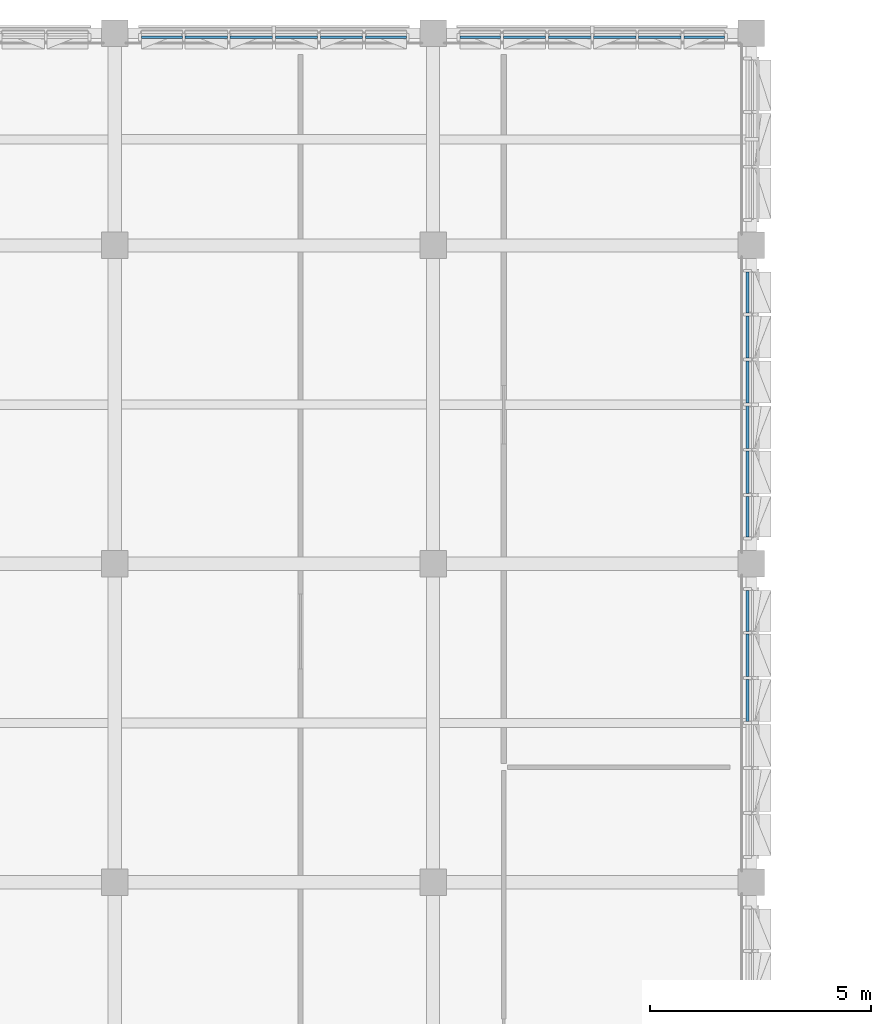
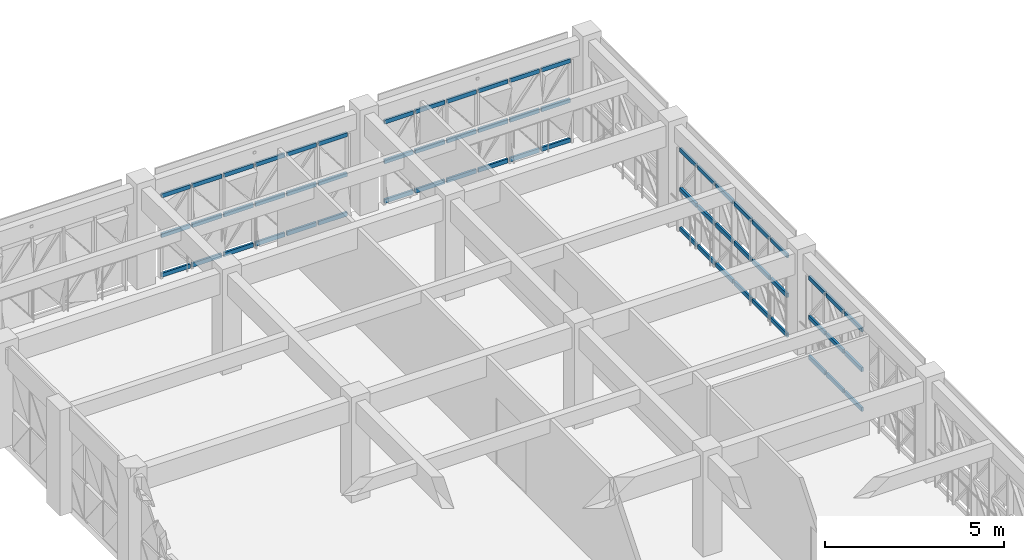
# One storey, part 24 of 74: 63 members, 4 elements without a shape of their own.
"""IFC4 building model written with IfcOpenShell, lengths in metres."""

from ifc_helpers import new_model, si_unit, direction, frame, origin, origin_2d, place, context, subcontext, project, spatial, rectangle, extrude, material, material_profile, profile_set, type_object, element, aggregate, save


model = new_model("IFC4")

# Units and contexts
model_context = context("Model", 3, precision=1e-05, world=origin(), true_north=direction((0.0, 1.0)))
body_context = subcontext(model_context, "Body", "Model", "MODEL_VIEW")
ifc_project = project(units=[si_unit("LENGTHUNIT", "METRE"), si_unit("AREAUNIT", "SQUARE_METRE"), si_unit("VOLUMEUNIT", "CUBIC_METRE"), si_unit("PLANEANGLEUNIT", "RADIAN"), si_unit("MASSUNIT", "GRAM", prefix="KILO")], contexts=[model_context])

# Site, building, storey
site_placement = place(None, origin())
site = spatial("IfcSite", under=ifc_project, at=site_placement, CompositionType="ELEMENT")
building_placement = place(site_placement, origin())
building = spatial("IfcBuilding", under=site, at=building_placement, Name="Alvorim Cloister Faculty of Sciences", CompositionType="ELEMENT")
storey_placement = place(building_placement, frame((0.0, 0.0, 15.75)))
storey = spatial("IfcBuildingStorey", under=building, at=storey_placement, Name="L04", CompositionType="ELEMENT", Elevation=15.75)

# Curtain wall, members
ifc_material_1 = material(Name="Aluminium and Low-E Glass Curtain Wall", Category="aluminium")
curtain_wall_type = type_object("IfcCurtainWallType", Name="CW-TRI-6120x2850", PredefinedType="USERDEFINED", material=ifc_material_1)
curtain_wall_1_placement = place(storey_placement, origin())
curtain_wall_1 = element("IfcCurtainWall", 1, at=curtain_wall_1_placement, inside=storey, type_object=curtain_wall_type, Name="L04 Diagonal Cassette Curtain Wall CW-0179", ObjectType="UNITISED CURTAIN WALL", PredefinedType="USERDEFINED")
ifc_material_2 = material(Name="Aluminium Alloy 6063-T6", Category="aluminium")
ifc_material_profile = material_profile(ifc_material_2, rectangle(XDim=0.06494140625, YDim=0.139892578125, at=origin_2d()), Name="ALU-TRN-65x140")
ifc_profile_set = profile_set([ifc_material_profile], Name="Aluminium Alloy 6063-T6")
member_type = type_object("IfcMemberType", Name="CW-TRN-65x140", PredefinedType="USERDEFINED", material=ifc_profile_set)
member_1_placement = place(storey_placement, frame((7.804931640625, 111.510009765625, 0.070068359375), z_axis=(1.0, 0.0, 0.0), x_axis=(0.0, 1.0, 0.0)))
member_1 = element("IfcMember", 2, at=member_1_placement, type_object=member_type, Name="CW-0179 Transom 1.1", ObjectType="TRANSOM", PredefinedType="USERDEFINED", context=body_context, shape_type="SweptSolid", body=[
    extrude(rectangle(XDim=0.06494140625, YDim=0.139892578125, at=origin_2d()), origin(), (0.0, 0.0, 1.0), 0.922607421875),
])
member_2_placement = place(storey_placement, frame((7.804931640625, 111.510009765625, 1.425048828125), z_axis=(1.0, 0.0, 0.0), x_axis=(0.0, 1.0, 0.0)))
member_2 = element("IfcMember", 3, at=member_2_placement, type_object=member_type, Name="CW-0179 Transom 1.2", ObjectType="TRANSOM", PredefinedType="USERDEFINED", context=body_context, shape_type="SweptSolid", body=[
    extrude(rectangle(XDim=0.06494140625, YDim=0.139892578125, at=origin_2d()), origin(), (0.0, 0.0, 1.0), 0.922607421875),
])
member_3_placement = place(storey_placement, frame((7.804931640625, 111.510009765625, 2.780029296875), z_axis=(1.0, 0.0, 0.0), x_axis=(0.0, 1.0, 0.0)))
member_3 = element("IfcMember", 4, at=member_3_placement, type_object=member_type, Name="CW-0179 Transom 1.3", ObjectType="TRANSOM", PredefinedType="USERDEFINED", context=body_context, shape_type="SweptSolid", body=[
    extrude(rectangle(XDim=0.06494140625, YDim=0.139892578125, at=origin_2d()), origin(), (0.0, 0.0, 1.0), 0.922607421875),
])
member_4_placement = place(storey_placement, frame((8.79248046875, 111.510009765625, 0.070068359375), z_axis=(1.0, 0.0, 0.0), x_axis=(0.0, 1.0, 0.0)))
member_4 = element("IfcMember", 5, at=member_4_placement, type_object=member_type, Name="CW-0179 Transom 2.1", ObjectType="TRANSOM", PredefinedType="USERDEFINED", context=body_context, shape_type="SweptSolid", body=[
    extrude(rectangle(XDim=0.06494140625, YDim=0.139892578125, at=origin_2d()), origin(), (0.0, 0.0, 1.0), 0.955078125),
])
member_5_placement = place(storey_placement, frame((8.79248046875, 111.510009765625, 1.425048828125), z_axis=(1.0, 0.0, 0.0), x_axis=(0.0, 1.0, 0.0)))
member_5 = element("IfcMember", 6, at=member_5_placement, type_object=member_type, Name="CW-0179 Transom 2.2", ObjectType="TRANSOM", PredefinedType="USERDEFINED", context=body_context, shape_type="SweptSolid", body=[
    extrude(rectangle(XDim=0.06494140625, YDim=0.139892578125, at=origin_2d()), origin(), (0.0, 0.0, 1.0), 0.955078125),
])
member_6_placement = place(storey_placement, frame((8.79248046875, 111.510009765625, 2.780029296875), z_axis=(1.0, 0.0, 0.0), x_axis=(0.0, 1.0, 0.0)))
member_6 = element("IfcMember", 7, at=member_6_placement, type_object=member_type, Name="CW-0179 Transom 2.3", ObjectType="TRANSOM", PredefinedType="USERDEFINED", context=body_context, shape_type="SweptSolid", body=[
    extrude(rectangle(XDim=0.06494140625, YDim=0.139892578125, at=origin_2d()), origin(), (0.0, 0.0, 1.0), 0.955078125),
])
member_7_placement = place(storey_placement, frame((9.8125, 111.510009765625, 0.070068359375), z_axis=(1.0, 0.0, 0.0), x_axis=(0.0, 1.0, 0.0)))
member_7 = element("IfcMember", 8, at=member_7_placement, type_object=member_type, Name="CW-0179 Transom 3.1", ObjectType="TRANSOM", PredefinedType="USERDEFINED", context=body_context, shape_type="SweptSolid", body=[
    extrude(rectangle(XDim=0.06494140625, YDim=0.139892578125, at=origin_2d()), origin(), (0.0, 0.0, 1.0), 0.955078125),
])
member_8_placement = place(storey_placement, frame((9.8125, 111.510009765625, 1.425048828125), z_axis=(1.0, 0.0, 0.0), x_axis=(0.0, 1.0, 0.0)))
member_8 = element("IfcMember", 9, at=member_8_placement, type_object=member_type, Name="CW-0179 Transom 3.2", ObjectType="TRANSOM", PredefinedType="USERDEFINED", context=body_context, shape_type="SweptSolid", body=[
    extrude(rectangle(XDim=0.06494140625, YDim=0.139892578125, at=origin_2d()), origin(), (0.0, 0.0, 1.0), 0.955078125),
])
member_9_placement = place(storey_placement, frame((9.8125, 111.510009765625, 2.780029296875), z_axis=(1.0, 0.0, 0.0), x_axis=(0.0, 1.0, 0.0)))
member_9 = element("IfcMember", 10, at=member_9_placement, type_object=member_type, Name="CW-0179 Transom 3.3", ObjectType="TRANSOM", PredefinedType="USERDEFINED", context=body_context, shape_type="SweptSolid", body=[
    extrude(rectangle(XDim=0.06494140625, YDim=0.139892578125, at=origin_2d()), origin(), (0.0, 0.0, 1.0), 0.955078125),
])
member_10_placement = place(storey_placement, frame((10.83251953125, 111.510009765625, 0.070068359375), z_axis=(1.0, 0.0, 0.0), x_axis=(0.0, 1.0, 0.0)))
member_10 = element("IfcMember", 11, at=member_10_placement, type_object=member_type, Name="CW-0179 Transom 4.1", ObjectType="TRANSOM", PredefinedType="USERDEFINED", context=body_context, shape_type="SweptSolid", body=[
    extrude(rectangle(XDim=0.06494140625, YDim=0.139892578125, at=origin_2d()), origin(), (0.0, 0.0, 1.0), 0.955078125),
])
member_11_placement = place(storey_placement, frame((10.83251953125, 111.510009765625, 1.425048828125), z_axis=(1.0, 0.0, 0.0), x_axis=(0.0, 1.0, 0.0)))
member_11 = element("IfcMember", 12, at=member_11_placement, type_object=member_type, Name="CW-0179 Transom 4.2", ObjectType="TRANSOM", PredefinedType="USERDEFINED", context=body_context, shape_type="SweptSolid", body=[
    extrude(rectangle(XDim=0.06494140625, YDim=0.139892578125, at=origin_2d()), origin(), (0.0, 0.0, 1.0), 0.955078125),
])
member_12_placement = place(storey_placement, frame((10.83251953125, 111.510009765625, 2.780029296875), z_axis=(1.0, 0.0, 0.0), x_axis=(0.0, 1.0, 0.0)))
member_12 = element("IfcMember", 13, at=member_12_placement, type_object=member_type, Name="CW-0179 Transom 4.3", ObjectType="TRANSOM", PredefinedType="USERDEFINED", context=body_context, shape_type="SweptSolid", body=[
    extrude(rectangle(XDim=0.06494140625, YDim=0.139892578125, at=origin_2d()), origin(), (0.0, 0.0, 1.0), 0.955078125),
])
member_13_placement = place(storey_placement, frame((11.8525390625, 111.510009765625, 0.070068359375), z_axis=(1.0, 0.0, 0.0), x_axis=(0.0, 1.0, 0.0)))
member_13 = element("IfcMember", 14, at=member_13_placement, type_object=member_type, Name="CW-0179 Transom 5.1", ObjectType="TRANSOM", PredefinedType="USERDEFINED", context=body_context, shape_type="SweptSolid", body=[
    extrude(rectangle(XDim=0.06494140625, YDim=0.139892578125, at=origin_2d()), origin(), (0.0, 0.0, 1.0), 0.955078125),
])
member_14_placement = place(storey_placement, frame((11.8525390625, 111.510009765625, 1.425048828125), z_axis=(1.0, 0.0, 0.0), x_axis=(0.0, 1.0, 0.0)))
member_14 = element("IfcMember", 15, at=member_14_placement, type_object=member_type, Name="CW-0179 Transom 5.2", ObjectType="TRANSOM", PredefinedType="USERDEFINED", context=body_context, shape_type="SweptSolid", body=[
    extrude(rectangle(XDim=0.06494140625, YDim=0.139892578125, at=origin_2d()), origin(), (0.0, 0.0, 1.0), 0.955078125),
])
member_15_placement = place(storey_placement, frame((11.8525390625, 111.510009765625, 2.780029296875), z_axis=(1.0, 0.0, 0.0), x_axis=(0.0, 1.0, 0.0)))
member_15 = element("IfcMember", 16, at=member_15_placement, type_object=member_type, Name="CW-0179 Transom 5.3", ObjectType="TRANSOM", PredefinedType="USERDEFINED", context=body_context, shape_type="SweptSolid", body=[
    extrude(rectangle(XDim=0.06494140625, YDim=0.139892578125, at=origin_2d()), origin(), (0.0, 0.0, 1.0), 0.955078125),
])
member_16_placement = place(storey_placement, frame((12.87255859375, 111.510009765625, 0.070068359375), z_axis=(1.0, 0.0, 0.0), x_axis=(0.0, 1.0, 0.0)))
member_16 = element("IfcMember", 17, at=member_16_placement, type_object=member_type, Name="CW-0179 Transom 6.1", ObjectType="TRANSOM", PredefinedType="USERDEFINED", context=body_context, shape_type="SweptSolid", body=[
    extrude(rectangle(XDim=0.06494140625, YDim=0.139892578125, at=origin_2d()), origin(), (0.0, 0.0, 1.0), 0.92236328125),
])
member_17_placement = place(storey_placement, frame((12.87255859375, 111.510009765625, 1.425048828125), z_axis=(1.0, 0.0, 0.0), x_axis=(0.0, 1.0, 0.0)))
member_17 = element("IfcMember", 18, at=member_17_placement, type_object=member_type, Name="CW-0179 Transom 6.2", ObjectType="TRANSOM", PredefinedType="USERDEFINED", context=body_context, shape_type="SweptSolid", body=[
    extrude(rectangle(XDim=0.06494140625, YDim=0.139892578125, at=origin_2d()), origin(), (0.0, 0.0, 1.0), 0.92236328125),
])
member_18_placement = place(storey_placement, frame((12.87255859375, 111.510009765625, 2.780029296875), z_axis=(1.0, 0.0, 0.0), x_axis=(0.0, 1.0, 0.0)))
member_18 = element("IfcMember", 19, at=member_18_placement, type_object=member_type, Name="CW-0179 Transom 6.3", ObjectType="TRANSOM", PredefinedType="USERDEFINED", context=body_context, shape_type="SweptSolid", body=[
    extrude(rectangle(XDim=0.06494140625, YDim=0.139892578125, at=origin_2d()), origin(), (0.0, 0.0, 1.0), 0.92236328125),
])
aggregate(curtain_wall_1, [member_1, member_2, member_3, member_4, member_5, member_6, member_7, member_8, member_9, member_10, member_11, member_12, member_13, member_14, member_15, member_16, member_17, member_18])

curtain_wall_2_placement = place(storey_placement, origin())
curtain_wall_2 = element("IfcCurtainWall", 20, at=curtain_wall_2_placement, inside=storey, type_object=curtain_wall_type, Name="L04 Diagonal Cassette Curtain Wall CW-0180", ObjectType="UNITISED CURTAIN WALL", PredefinedType="USERDEFINED")
member_19_placement = place(storey_placement, frame((15.0048828125, 111.510009765625, 0.070068359375), z_axis=(1.0, 0.0, 0.0), x_axis=(0.0, 1.0, 0.0)))
member_19 = element("IfcMember", 21, at=member_19_placement, type_object=member_type, Name="CW-0180 Transom 1.1", ObjectType="TRANSOM", PredefinedType="USERDEFINED", context=body_context, shape_type="SweptSolid", body=[
    extrude(rectangle(XDim=0.06494140625, YDim=0.139892578125, at=origin_2d()), origin(), (0.0, 0.0, 1.0), 0.922607421875),
])
member_20_placement = place(storey_placement, frame((15.0048828125, 111.510009765625, 1.425048828125), z_axis=(1.0, 0.0, 0.0), x_axis=(0.0, 1.0, 0.0)))
member_20 = element("IfcMember", 22, at=member_20_placement, type_object=member_type, Name="CW-0180 Transom 1.2", ObjectType="TRANSOM", PredefinedType="USERDEFINED", context=body_context, shape_type="SweptSolid", body=[
    extrude(rectangle(XDim=0.06494140625, YDim=0.139892578125, at=origin_2d()), origin(), (0.0, 0.0, 1.0), 0.922607421875),
])
member_21_placement = place(storey_placement, frame((15.0048828125, 111.510009765625, 2.780029296875), z_axis=(1.0, 0.0, 0.0), x_axis=(0.0, 1.0, 0.0)))
member_21 = element("IfcMember", 23, at=member_21_placement, type_object=member_type, Name="CW-0180 Transom 1.3", ObjectType="TRANSOM", PredefinedType="USERDEFINED", context=body_context, shape_type="SweptSolid", body=[
    extrude(rectangle(XDim=0.06494140625, YDim=0.139892578125, at=origin_2d()), origin(), (0.0, 0.0, 1.0), 0.922607421875),
])
member_22_placement = place(storey_placement, frame((15.992431640625, 111.510009765625, 0.070068359375), z_axis=(1.0, 0.0, 0.0), x_axis=(0.0, 1.0, 0.0)))
member_22 = element("IfcMember", 24, at=member_22_placement, type_object=member_type, Name="CW-0180 Transom 2.1", ObjectType="TRANSOM", PredefinedType="USERDEFINED", context=body_context, shape_type="SweptSolid", body=[
    extrude(rectangle(XDim=0.06494140625, YDim=0.139892578125, at=origin_2d()), origin(), (0.0, 0.0, 1.0), 0.955078125),
])
member_23_placement = place(storey_placement, frame((15.992431640625, 111.510009765625, 1.425048828125), z_axis=(1.0, 0.0, 0.0), x_axis=(0.0, 1.0, 0.0)))
member_23 = element("IfcMember", 25, at=member_23_placement, type_object=member_type, Name="CW-0180 Transom 2.2", ObjectType="TRANSOM", PredefinedType="USERDEFINED", context=body_context, shape_type="SweptSolid", body=[
    extrude(rectangle(XDim=0.06494140625, YDim=0.139892578125, at=origin_2d()), origin(), (0.0, 0.0, 1.0), 0.955078125),
])
member_24_placement = place(storey_placement, frame((15.992431640625, 111.510009765625, 2.780029296875), z_axis=(1.0, 0.0, 0.0), x_axis=(0.0, 1.0, 0.0)))
member_24 = element("IfcMember", 26, at=member_24_placement, type_object=member_type, Name="CW-0180 Transom 2.3", ObjectType="TRANSOM", PredefinedType="USERDEFINED", context=body_context, shape_type="SweptSolid", body=[
    extrude(rectangle(XDim=0.06494140625, YDim=0.139892578125, at=origin_2d()), origin(), (0.0, 0.0, 1.0), 0.955078125),
])
member_25_placement = place(storey_placement, frame((17.012451171875, 111.510009765625, 0.070068359375), z_axis=(1.0, 0.0, 0.0), x_axis=(0.0, 1.0, 0.0)))
member_25 = element("IfcMember", 27, at=member_25_placement, type_object=member_type, Name="CW-0180 Transom 3.1", ObjectType="TRANSOM", PredefinedType="USERDEFINED", context=body_context, shape_type="SweptSolid", body=[
    extrude(rectangle(XDim=0.06494140625, YDim=0.139892578125, at=origin_2d()), origin(), (0.0, 0.0, 1.0), 0.955078125),
])
member_26_placement = place(storey_placement, frame((17.012451171875, 111.510009765625, 1.425048828125), z_axis=(1.0, 0.0, 0.0), x_axis=(0.0, 1.0, 0.0)))
member_26 = element("IfcMember", 28, at=member_26_placement, type_object=member_type, Name="CW-0180 Transom 3.2", ObjectType="TRANSOM", PredefinedType="USERDEFINED", context=body_context, shape_type="SweptSolid", body=[
    extrude(rectangle(XDim=0.06494140625, YDim=0.139892578125, at=origin_2d()), origin(), (0.0, 0.0, 1.0), 0.955078125),
])
member_27_placement = place(storey_placement, frame((17.012451171875, 111.510009765625, 2.780029296875), z_axis=(1.0, 0.0, 0.0), x_axis=(0.0, 1.0, 0.0)))
member_27 = element("IfcMember", 29, at=member_27_placement, type_object=member_type, Name="CW-0180 Transom 3.3", ObjectType="TRANSOM", PredefinedType="USERDEFINED", context=body_context, shape_type="SweptSolid", body=[
    extrude(rectangle(XDim=0.06494140625, YDim=0.139892578125, at=origin_2d()), origin(), (0.0, 0.0, 1.0), 0.955078125),
])
member_28_placement = place(storey_placement, frame((18.032470703125, 111.510009765625, 0.070068359375), z_axis=(1.0, 0.0, 0.0), x_axis=(0.0, 1.0, 0.0)))
member_28 = element("IfcMember", 30, at=member_28_placement, type_object=member_type, Name="CW-0180 Transom 4.1", ObjectType="TRANSOM", PredefinedType="USERDEFINED", context=body_context, shape_type="SweptSolid", body=[
    extrude(rectangle(XDim=0.06494140625, YDim=0.139892578125, at=origin_2d()), origin(), (0.0, 0.0, 1.0), 0.955078125),
])
member_29_placement = place(storey_placement, frame((18.032470703125, 111.510009765625, 1.425048828125), z_axis=(1.0, 0.0, 0.0), x_axis=(0.0, 1.0, 0.0)))
member_29 = element("IfcMember", 31, at=member_29_placement, type_object=member_type, Name="CW-0180 Transom 4.2", ObjectType="TRANSOM", PredefinedType="USERDEFINED", context=body_context, shape_type="SweptSolid", body=[
    extrude(rectangle(XDim=0.06494140625, YDim=0.139892578125, at=origin_2d()), origin(), (0.0, 0.0, 1.0), 0.955078125),
])
member_30_placement = place(storey_placement, frame((18.032470703125, 111.510009765625, 2.780029296875), z_axis=(1.0, 0.0, 0.0), x_axis=(0.0, 1.0, 0.0)))
member_30 = element("IfcMember", 32, at=member_30_placement, type_object=member_type, Name="CW-0180 Transom 4.3", ObjectType="TRANSOM", PredefinedType="USERDEFINED", context=body_context, shape_type="SweptSolid", body=[
    extrude(rectangle(XDim=0.06494140625, YDim=0.139892578125, at=origin_2d()), origin(), (0.0, 0.0, 1.0), 0.955078125),
])
member_31_placement = place(storey_placement, frame((19.052490234375, 111.510009765625, 0.070068359375), z_axis=(1.0, 0.0, 0.0), x_axis=(0.0, 1.0, 0.0)))
member_31 = element("IfcMember", 33, at=member_31_placement, type_object=member_type, Name="CW-0180 Transom 5.1", ObjectType="TRANSOM", PredefinedType="USERDEFINED", context=body_context, shape_type="SweptSolid", body=[
    extrude(rectangle(XDim=0.06494140625, YDim=0.139892578125, at=origin_2d()), origin(), (0.0, 0.0, 1.0), 0.955078125),
])
member_32_placement = place(storey_placement, frame((19.052490234375, 111.510009765625, 1.425048828125), z_axis=(1.0, 0.0, 0.0), x_axis=(0.0, 1.0, 0.0)))
member_32 = element("IfcMember", 34, at=member_32_placement, type_object=member_type, Name="CW-0180 Transom 5.2", ObjectType="TRANSOM", PredefinedType="USERDEFINED", context=body_context, shape_type="SweptSolid", body=[
    extrude(rectangle(XDim=0.06494140625, YDim=0.139892578125, at=origin_2d()), origin(), (0.0, 0.0, 1.0), 0.955078125),
])
member_33_placement = place(storey_placement, frame((19.052490234375, 111.510009765625, 2.780029296875), z_axis=(1.0, 0.0, 0.0), x_axis=(0.0, 1.0, 0.0)))
member_33 = element("IfcMember", 35, at=member_33_placement, type_object=member_type, Name="CW-0180 Transom 5.3", ObjectType="TRANSOM", PredefinedType="USERDEFINED", context=body_context, shape_type="SweptSolid", body=[
    extrude(rectangle(XDim=0.06494140625, YDim=0.139892578125, at=origin_2d()), origin(), (0.0, 0.0, 1.0), 0.955078125),
])
member_34_placement = place(storey_placement, frame((20.072509765625, 111.510009765625, 0.070068359375), z_axis=(1.0, 0.0, 0.0), x_axis=(0.0, 1.0, 0.0)))
member_34 = element("IfcMember", 36, at=member_34_placement, type_object=member_type, Name="CW-0180 Transom 6.1", ObjectType="TRANSOM", PredefinedType="USERDEFINED", context=body_context, shape_type="SweptSolid", body=[
    extrude(rectangle(XDim=0.06494140625, YDim=0.139892578125, at=origin_2d()), origin(), (0.0, 0.0, 1.0), 0.922607421875),
])
member_35_placement = place(storey_placement, frame((20.072509765625, 111.510009765625, 1.425048828125), z_axis=(1.0, 0.0, 0.0), x_axis=(0.0, 1.0, 0.0)))
member_35 = element("IfcMember", 37, at=member_35_placement, type_object=member_type, Name="CW-0180 Transom 6.2", ObjectType="TRANSOM", PredefinedType="USERDEFINED", context=body_context, shape_type="SweptSolid", body=[
    extrude(rectangle(XDim=0.06494140625, YDim=0.139892578125, at=origin_2d()), origin(), (0.0, 0.0, 1.0), 0.922607421875),
])
member_36_placement = place(storey_placement, frame((20.072509765625, 111.510009765625, 2.780029296875), z_axis=(1.0, 0.0, 0.0), x_axis=(0.0, 1.0, 0.0)))
member_36 = element("IfcMember", 38, at=member_36_placement, type_object=member_type, Name="CW-0180 Transom 6.3", ObjectType="TRANSOM", PredefinedType="USERDEFINED", context=body_context, shape_type="SweptSolid", body=[
    extrude(rectangle(XDim=0.06494140625, YDim=0.139892578125, at=origin_2d()), origin(), (0.0, 0.0, 1.0), 0.922607421875),
])
aggregate(curtain_wall_2, [member_19, member_20, member_21, member_22, member_23, member_24, member_25, member_26, member_27, member_28, member_29, member_30, member_31, member_32, member_33, member_34, member_35, member_36])

curtain_wall_3_placement = place(storey_placement, origin())
curtain_wall_3 = element("IfcCurtainWall", 39, at=curtain_wall_3_placement, inside=storey, type_object=curtain_wall_type, Name="L04 Diagonal Cassette Curtain Wall CW-0182", ObjectType="UNITISED CURTAIN WALL", PredefinedType="USERDEFINED")
member_37_placement = place(storey_placement, frame((21.510009765625, 100.205078125, 0.070068359375), z_axis=(0.0, 1.0, 0.0), x_axis=(-1.0, 0.0, 0.0)))
member_37 = element("IfcMember", 40, at=member_37_placement, type_object=member_type, Name="CW-0182 Transom 1.1", ObjectType="TRANSOM", PredefinedType="USERDEFINED", context=body_context, shape_type="SweptSolid", body=[
    extrude(rectangle(XDim=0.06494140625, YDim=0.139892578125, at=origin_2d()), origin(), (0.0, 0.0, 1.0), 0.92236328125),
])
member_38_placement = place(storey_placement, frame((21.510009765625, 100.205078125, 1.425048828125), z_axis=(0.0, 1.0, 0.0), x_axis=(-1.0, 0.0, 0.0)))
member_38 = element("IfcMember", 41, at=member_38_placement, type_object=member_type, Name="CW-0182 Transom 1.2", ObjectType="TRANSOM", PredefinedType="USERDEFINED", context=body_context, shape_type="SweptSolid", body=[
    extrude(rectangle(XDim=0.06494140625, YDim=0.139892578125, at=origin_2d()), origin(), (0.0, 0.0, 1.0), 0.92236328125),
])
member_39_placement = place(storey_placement, frame((21.510009765625, 100.205078125, 2.780029296875), z_axis=(0.0, 1.0, 0.0), x_axis=(-1.0, 0.0, 0.0)))
member_39 = element("IfcMember", 42, at=member_39_placement, type_object=member_type, Name="CW-0182 Transom 1.3", ObjectType="TRANSOM", PredefinedType="USERDEFINED", context=body_context, shape_type="SweptSolid", body=[
    extrude(rectangle(XDim=0.06494140625, YDim=0.139892578125, at=origin_2d()), origin(), (0.0, 0.0, 1.0), 0.92236328125),
])
member_40_placement = place(storey_placement, frame((21.510009765625, 101.1923828125, 0.070068359375), z_axis=(0.0, 1.0, 0.0), x_axis=(-1.0, 0.0, 0.0)))
member_40 = element("IfcMember", 43, at=member_40_placement, type_object=member_type, Name="CW-0182 Transom 2.1", ObjectType="TRANSOM", PredefinedType="USERDEFINED", context=body_context, shape_type="SweptSolid", body=[
    extrude(rectangle(XDim=0.06494140625, YDim=0.139892578125, at=origin_2d()), origin(), (0.0, 0.0, 1.0), 0.955078125),
])
member_41_placement = place(storey_placement, frame((21.510009765625, 101.1923828125, 1.425048828125), z_axis=(0.0, 1.0, 0.0), x_axis=(-1.0, 0.0, 0.0)))
member_41 = element("IfcMember", 44, at=member_41_placement, type_object=member_type, Name="CW-0182 Transom 2.2", ObjectType="TRANSOM", PredefinedType="USERDEFINED", context=body_context, shape_type="SweptSolid", body=[
    extrude(rectangle(XDim=0.06494140625, YDim=0.139892578125, at=origin_2d()), origin(), (0.0, 0.0, 1.0), 0.955078125),
])
member_42_placement = place(storey_placement, frame((21.510009765625, 101.1923828125, 2.780029296875), z_axis=(0.0, 1.0, 0.0), x_axis=(-1.0, 0.0, 0.0)))
member_42 = element("IfcMember", 45, at=member_42_placement, type_object=member_type, Name="CW-0182 Transom 2.3", ObjectType="TRANSOM", PredefinedType="USERDEFINED", context=body_context, shape_type="SweptSolid", body=[
    extrude(rectangle(XDim=0.06494140625, YDim=0.139892578125, at=origin_2d()), origin(), (0.0, 0.0, 1.0), 0.955078125),
])
member_43_placement = place(storey_placement, frame((21.510009765625, 102.21240234375, 0.070068359375), z_axis=(0.0, 1.0, 0.0), x_axis=(-1.0, 0.0, 0.0)))
member_43 = element("IfcMember", 46, at=member_43_placement, type_object=member_type, Name="CW-0182 Transom 3.1", ObjectType="TRANSOM", PredefinedType="USERDEFINED", context=body_context, shape_type="SweptSolid", body=[
    extrude(rectangle(XDim=0.06494140625, YDim=0.139892578125, at=origin_2d()), origin(), (0.0, 0.0, 1.0), 0.955078125),
])
member_44_placement = place(storey_placement, frame((21.510009765625, 102.21240234375, 1.425048828125), z_axis=(0.0, 1.0, 0.0), x_axis=(-1.0, 0.0, 0.0)))
member_44 = element("IfcMember", 47, at=member_44_placement, type_object=member_type, Name="CW-0182 Transom 3.2", ObjectType="TRANSOM", PredefinedType="USERDEFINED", context=body_context, shape_type="SweptSolid", body=[
    extrude(rectangle(XDim=0.06494140625, YDim=0.139892578125, at=origin_2d()), origin(), (0.0, 0.0, 1.0), 0.955078125),
])
member_45_placement = place(storey_placement, frame((21.510009765625, 102.21240234375, 2.780029296875), z_axis=(0.0, 1.0, 0.0), x_axis=(-1.0, 0.0, 0.0)))
member_45 = element("IfcMember", 48, at=member_45_placement, type_object=member_type, Name="CW-0182 Transom 3.3", ObjectType="TRANSOM", PredefinedType="USERDEFINED", context=body_context, shape_type="SweptSolid", body=[
    extrude(rectangle(XDim=0.06494140625, YDim=0.139892578125, at=origin_2d()), origin(), (0.0, 0.0, 1.0), 0.955078125),
])
member_46_placement = place(storey_placement, frame((21.510009765625, 103.232421875, 0.070068359375), z_axis=(0.0, 1.0, 0.0), x_axis=(-1.0, 0.0, 0.0)))
member_46 = element("IfcMember", 49, at=member_46_placement, type_object=member_type, Name="CW-0182 Transom 4.1", ObjectType="TRANSOM", PredefinedType="USERDEFINED", context=body_context, shape_type="SweptSolid", body=[
    extrude(rectangle(XDim=0.06494140625, YDim=0.139892578125, at=origin_2d()), origin(), (0.0, 0.0, 1.0), 0.955078125),
])
member_47_placement = place(storey_placement, frame((21.510009765625, 103.232421875, 1.425048828125), z_axis=(0.0, 1.0, 0.0), x_axis=(-1.0, 0.0, 0.0)))
member_47 = element("IfcMember", 50, at=member_47_placement, type_object=member_type, Name="CW-0182 Transom 4.2", ObjectType="TRANSOM", PredefinedType="USERDEFINED", context=body_context, shape_type="SweptSolid", body=[
    extrude(rectangle(XDim=0.06494140625, YDim=0.139892578125, at=origin_2d()), origin(), (0.0, 0.0, 1.0), 0.955078125),
])
member_48_placement = place(storey_placement, frame((21.510009765625, 103.232421875, 2.780029296875), z_axis=(0.0, 1.0, 0.0), x_axis=(-1.0, 0.0, 0.0)))
member_48 = element("IfcMember", 51, at=member_48_placement, type_object=member_type, Name="CW-0182 Transom 4.3", ObjectType="TRANSOM", PredefinedType="USERDEFINED", context=body_context, shape_type="SweptSolid", body=[
    extrude(rectangle(XDim=0.06494140625, YDim=0.139892578125, at=origin_2d()), origin(), (0.0, 0.0, 1.0), 0.955078125),
])
member_49_placement = place(storey_placement, frame((21.510009765625, 104.25244140625, 0.070068359375), z_axis=(0.0, 1.0, 0.0), x_axis=(-1.0, 0.0, 0.0)))
member_49 = element("IfcMember", 52, at=member_49_placement, type_object=member_type, Name="CW-0182 Transom 5.1", ObjectType="TRANSOM", PredefinedType="USERDEFINED", context=body_context, shape_type="SweptSolid", body=[
    extrude(rectangle(XDim=0.06494140625, YDim=0.139892578125, at=origin_2d()), origin(), (0.0, 0.0, 1.0), 0.955078125),
])
member_50_placement = place(storey_placement, frame((21.510009765625, 104.25244140625, 1.425048828125), z_axis=(0.0, 1.0, 0.0), x_axis=(-1.0, 0.0, 0.0)))
member_50 = element("IfcMember", 53, at=member_50_placement, type_object=member_type, Name="CW-0182 Transom 5.2", ObjectType="TRANSOM", PredefinedType="USERDEFINED", context=body_context, shape_type="SweptSolid", body=[
    extrude(rectangle(XDim=0.06494140625, YDim=0.139892578125, at=origin_2d()), origin(), (0.0, 0.0, 1.0), 0.955078125),
])
member_51_placement = place(storey_placement, frame((21.510009765625, 104.25244140625, 2.780029296875), z_axis=(0.0, 1.0, 0.0), x_axis=(-1.0, 0.0, 0.0)))
member_51 = element("IfcMember", 54, at=member_51_placement, type_object=member_type, Name="CW-0182 Transom 5.3", ObjectType="TRANSOM", PredefinedType="USERDEFINED", context=body_context, shape_type="SweptSolid", body=[
    extrude(rectangle(XDim=0.06494140625, YDim=0.139892578125, at=origin_2d()), origin(), (0.0, 0.0, 1.0), 0.955078125),
])
member_52_placement = place(storey_placement, frame((21.510009765625, 105.2724609375, 0.070068359375), z_axis=(0.0, 1.0, 0.0), x_axis=(-1.0, 0.0, 0.0)))
member_52 = element("IfcMember", 55, at=member_52_placement, type_object=member_type, Name="CW-0182 Transom 6.1", ObjectType="TRANSOM", PredefinedType="USERDEFINED", context=body_context, shape_type="SweptSolid", body=[
    extrude(rectangle(XDim=0.06494140625, YDim=0.139892578125, at=origin_2d()), origin(), (0.0, 0.0, 1.0), 0.922607421875),
])
member_53_placement = place(storey_placement, frame((21.510009765625, 105.2724609375, 1.425048828125), z_axis=(0.0, 1.0, 0.0), x_axis=(-1.0, 0.0, 0.0)))
member_53 = element("IfcMember", 56, at=member_53_placement, type_object=member_type, Name="CW-0182 Transom 6.2", ObjectType="TRANSOM", PredefinedType="USERDEFINED", context=body_context, shape_type="SweptSolid", body=[
    extrude(rectangle(XDim=0.06494140625, YDim=0.139892578125, at=origin_2d()), origin(), (0.0, 0.0, 1.0), 0.922607421875),
])
member_54_placement = place(storey_placement, frame((21.510009765625, 105.2724609375, 2.780029296875), z_axis=(0.0, 1.0, 0.0), x_axis=(-1.0, 0.0, 0.0)))
member_54 = element("IfcMember", 57, at=member_54_placement, type_object=member_type, Name="CW-0182 Transom 6.3", ObjectType="TRANSOM", PredefinedType="USERDEFINED", context=body_context, shape_type="SweptSolid", body=[
    extrude(rectangle(XDim=0.06494140625, YDim=0.139892578125, at=origin_2d()), origin(), (0.0, 0.0, 1.0), 0.922607421875),
])
aggregate(curtain_wall_3, [member_37, member_38, member_39, member_40, member_41, member_42, member_43, member_44, member_45, member_46, member_47, member_48, member_49, member_50, member_51, member_52, member_53, member_54])

curtain_wall_4_placement = place(storey_placement, origin())
curtain_wall_4 = element("IfcCurtainWall", 58, at=curtain_wall_4_placement, inside=storey, type_object=curtain_wall_type, Name="L04 Diagonal Cassette Curtain Wall CW-0183", ObjectType="UNITISED CURTAIN WALL", PredefinedType="USERDEFINED")
member_55_placement = place(storey_placement, frame((21.510009765625, 96.032470703125, 0.070068359375), z_axis=(0.0, 1.0, 0.0), x_axis=(-1.0, 0.0, 0.0)))
member_55 = element("IfcMember", 59, at=member_55_placement, type_object=member_type, Name="CW-0183 Transom 4.1", ObjectType="TRANSOM", PredefinedType="USERDEFINED", context=body_context, shape_type="SweptSolid", body=[
    extrude(rectangle(XDim=0.06494140625, YDim=0.139892578125, at=origin_2d()), origin(), (0.0, 0.0, 1.0), 0.955078125),
])
member_56_placement = place(storey_placement, frame((21.510009765625, 96.032470703125, 1.425048828125), z_axis=(0.0, 1.0, 0.0), x_axis=(-1.0, 0.0, 0.0)))
member_56 = element("IfcMember", 60, at=member_56_placement, type_object=member_type, Name="CW-0183 Transom 4.2", ObjectType="TRANSOM", PredefinedType="USERDEFINED", context=body_context, shape_type="SweptSolid", body=[
    extrude(rectangle(XDim=0.06494140625, YDim=0.139892578125, at=origin_2d()), origin(), (0.0, 0.0, 1.0), 0.955078125),
])
member_57_placement = place(storey_placement, frame((21.510009765625, 96.032470703125, 2.780029296875), z_axis=(0.0, 1.0, 0.0), x_axis=(-1.0, 0.0, 0.0)))
member_57 = element("IfcMember", 61, at=member_57_placement, type_object=member_type, Name="CW-0183 Transom 4.3", ObjectType="TRANSOM", PredefinedType="USERDEFINED", context=body_context, shape_type="SweptSolid", body=[
    extrude(rectangle(XDim=0.06494140625, YDim=0.139892578125, at=origin_2d()), origin(), (0.0, 0.0, 1.0), 0.955078125),
])
member_58_placement = place(storey_placement, frame((21.510009765625, 97.052490234375, 0.070068359375), z_axis=(0.0, 1.0, 0.0), x_axis=(-1.0, 0.0, 0.0)))
member_58 = element("IfcMember", 62, at=member_58_placement, type_object=member_type, Name="CW-0183 Transom 5.1", ObjectType="TRANSOM", PredefinedType="USERDEFINED", context=body_context, shape_type="SweptSolid", body=[
    extrude(rectangle(XDim=0.06494140625, YDim=0.139892578125, at=origin_2d()), origin(), (0.0, 0.0, 1.0), 0.955078125),
])
member_59_placement = place(storey_placement, frame((21.510009765625, 97.052490234375, 1.425048828125), z_axis=(0.0, 1.0, 0.0), x_axis=(-1.0, 0.0, 0.0)))
member_59 = element("IfcMember", 63, at=member_59_placement, type_object=member_type, Name="CW-0183 Transom 5.2", ObjectType="TRANSOM", PredefinedType="USERDEFINED", context=body_context, shape_type="SweptSolid", body=[
    extrude(rectangle(XDim=0.06494140625, YDim=0.139892578125, at=origin_2d()), origin(), (0.0, 0.0, 1.0), 0.955078125),
])
member_60_placement = place(storey_placement, frame((21.510009765625, 97.052490234375, 2.780029296875), z_axis=(0.0, 1.0, 0.0), x_axis=(-1.0, 0.0, 0.0)))
member_60 = element("IfcMember", 64, at=member_60_placement, type_object=member_type, Name="CW-0183 Transom 5.3", ObjectType="TRANSOM", PredefinedType="USERDEFINED", context=body_context, shape_type="SweptSolid", body=[
    extrude(rectangle(XDim=0.06494140625, YDim=0.139892578125, at=origin_2d()), origin(), (0.0, 0.0, 1.0), 0.955078125),
])
member_61_placement = place(storey_placement, frame((21.510009765625, 98.072509765625, 0.070068359375), z_axis=(0.0, 1.0, 0.0), x_axis=(-1.0, 0.0, 0.0)))
member_61 = element("IfcMember", 65, at=member_61_placement, type_object=member_type, Name="CW-0183 Transom 6.1", ObjectType="TRANSOM", PredefinedType="USERDEFINED", context=body_context, shape_type="SweptSolid", body=[
    extrude(rectangle(XDim=0.06494140625, YDim=0.139892578125, at=origin_2d()), origin(), (0.0, 0.0, 1.0), 0.922607421875),
])
member_62_placement = place(storey_placement, frame((21.510009765625, 98.072509765625, 1.425048828125), z_axis=(0.0, 1.0, 0.0), x_axis=(-1.0, 0.0, 0.0)))
member_62 = element("IfcMember", 66, at=member_62_placement, type_object=member_type, Name="CW-0183 Transom 6.2", ObjectType="TRANSOM", PredefinedType="USERDEFINED", context=body_context, shape_type="SweptSolid", body=[
    extrude(rectangle(XDim=0.06494140625, YDim=0.139892578125, at=origin_2d()), origin(), (0.0, 0.0, 1.0), 0.922607421875),
])
member_63_placement = place(storey_placement, frame((21.510009765625, 98.072509765625, 2.780029296875), z_axis=(0.0, 1.0, 0.0), x_axis=(-1.0, 0.0, 0.0)))
member_63 = element("IfcMember", 67, at=member_63_placement, type_object=member_type, Name="CW-0183 Transom 6.3", ObjectType="TRANSOM", PredefinedType="USERDEFINED", context=body_context, shape_type="SweptSolid", body=[
    extrude(rectangle(XDim=0.06494140625, YDim=0.139892578125, at=origin_2d()), origin(), (0.0, 0.0, 1.0), 0.922607421875),
])
aggregate(curtain_wall_4, [member_55, member_56, member_57, member_58, member_59, member_60, member_61, member_62, member_63])

save(model, "model.ifc")
